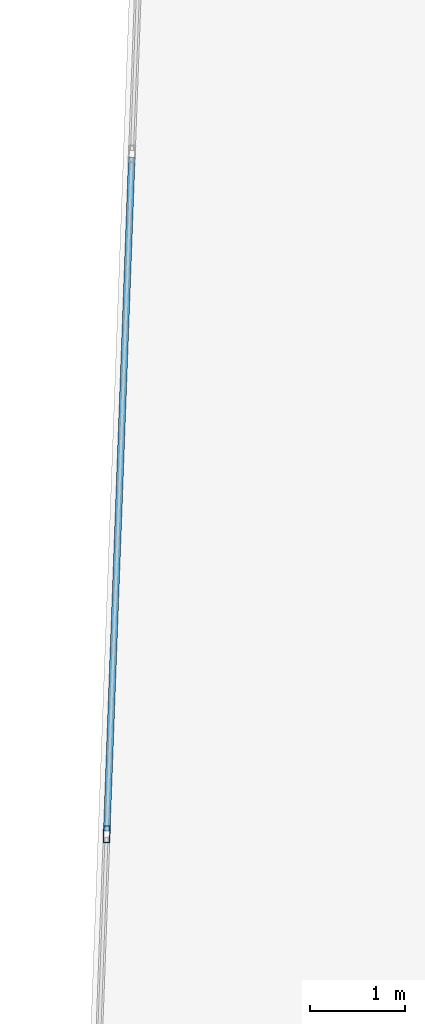
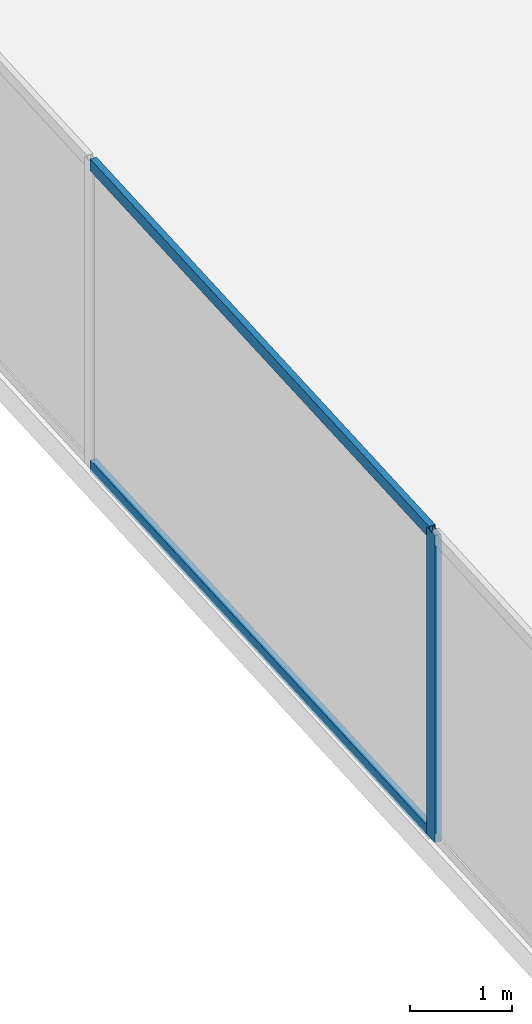
# One storey, part 10 of 30: 3 members, 1 element without a shape of its own.
"""IFC4 building model written with IfcOpenShell, lengths in metres."""

from ifc_helpers import new_model, si_unit, direction, frame, origin, origin_2d, place, context, subcontext, project, spatial, hollow_rectangle, extrude, source, transform, mapped, material, material_profile, profile_set, type_object, type_shapes, element, aggregate, save


model = new_model("IFC4")

# Units and contexts
model_context = context("Model", 3, precision=1e-05, world=origin(), true_north=direction((0.0, 1.0)))
body_context = subcontext(model_context, "Body", "Model", "MODEL_VIEW")
ifc_project = project(units=[si_unit("LENGTHUNIT", "METRE"), si_unit("AREAUNIT", "SQUARE_METRE"), si_unit("VOLUMEUNIT", "CUBIC_METRE"), si_unit("PLANEANGLEUNIT", "RADIAN"), si_unit("MASSUNIT", "GRAM", prefix="KILO")], contexts=[model_context])

# Site, building, storey
site_placement = place(None, origin())
site = spatial("IfcSite", under=ifc_project, at=site_placement, CompositionType="ELEMENT")
building_placement = place(site_placement, origin())
building = spatial("IfcBuilding", under=site, at=building_placement, Name="Krantzveldt Concourse Tower", CompositionType="ELEMENT")
storey_placement = place(building_placement, frame((0.0, 0.0, 44.75)))
storey = spatial("IfcBuildingStorey", under=building, at=storey_placement, Name="L10", CompositionType="ELEMENT", Elevation=44.75)

# Curtain wall, members
ifc_material = material(Name="Anodised aluminium 6063-T6", Category="aluminium")
curtain_wall_type = type_object("IfcCurtainWallType", Name="CW2", PredefinedType="USERDEFINED", material=ifc_material)
curtain_wall_placement = place(storey_placement, origin())
curtain_wall = element("IfcCurtainWall", 1, at=curtain_wall_placement, inside=storey, type_object=curtain_wall_type, Name="CW-L10-F01", ObjectType="UNITISED CURTAIN WALL", PredefinedType="USERDEFINED")
ifc_material_profile_1 = material_profile(ifc_material, hollow_rectangle(XDim=0.070068359375, YDim=0.179931640625, WallThickness=0.0048828125, at=origin_2d()), Name="Anodised aluminium 6063-T6", Category="aluminium")
ifc_profile_set_1 = profile_set([ifc_material_profile_1], Name="Anodised aluminium 6063-T6 - ALU-MULL 180x70x5")
member_type_1 = type_object("IfcMemberType", Name="CW-MUL-180", PredefinedType="MULLION", material=ifc_profile_set_1)
shared_shape_1 = source(origin(), body_context, "Body", "SweptSolid", [
    extrude(hollow_rectangle(XDim=0.070068359375, YDim=0.179931640625, WallThickness=0.0048828125, at=origin_2d()), origin(), (0.0, 0.0, 1.0), 3.669921875),
])
type_shapes(member_type_1, [shared_shape_1])
member_1_placement = place(storey_placement, frame((11.107177734375, 27.62353515625, 0.0), z_axis=(0.0, 0.0, 1.0), x_axis=(0.999312308986, -0.037079766834, 0.0)))
member_1 = element("IfcMember", 2, at=member_1_placement, type_object=member_type_1, Name="CW-Z12 mullion 4", PredefinedType="MULLION", context=body_context, shape_type="MappedRepresentation", body=[
    mapped(shared_shape_1, transform((0.0, 0.0, 0.0), x_axis=(1.0, 0.0, 0.0), y_axis=(0.0, 1.0, 0.0), z_axis=(0.0, 0.0, 1.0), scale=1.0)),
])
ifc_material_profile_2 = material_profile(ifc_material, hollow_rectangle(XDim=0.070068359375, YDim=0.139892578125, WallThickness=0.0048828125, at=origin_2d()), Name="Anodised aluminium 6063-T6", Category="aluminium")
ifc_profile_set_2 = profile_set([ifc_material_profile_2], Name="Anodised aluminium 6063-T6 - ALU-TRAN 140x70x5")
member_type_2 = type_object("IfcMemberType", Name="CW-TRN-150", PredefinedType="USERDEFINED", material=ifc_profile_set_2)
shared_shape_2 = source(origin(), body_context, "Body", "SweptSolid", [
    extrude(hollow_rectangle(XDim=0.070068359375, YDim=0.139892578125, WallThickness=0.0048828125, at=origin_2d()), origin(), (0.0, 0.0, 1.0), 7.0966796875),
])
type_shapes(member_type_2, [shared_shape_2])
member_2_placement = place(storey_placement, frame((11.37158203125, 34.75048828125, 0.034912109375), z_axis=(-0.037085459975, -0.999312097724, 0.0), x_axis=(0.999312097724, -0.037085459975, 0.0)))
member_2 = element("IfcMember", 3, at=member_2_placement, type_object=member_type_2, Name="CW-Z12 transom 3.1", ObjectType="TRANSOM", PredefinedType="USERDEFINED", context=body_context, shape_type="MappedRepresentation", body=[
    mapped(shared_shape_2, transform((0.0, 0.0, 0.0), x_axis=(1.0, 0.0, 0.0), y_axis=(0.0, 1.0, 0.0), z_axis=(0.0, 0.0, 1.0), scale=1.0)),
])
member_3_placement = place(storey_placement, frame((11.37158203125, 34.75048828125, 3.635009765625), z_axis=(-0.037085459975, -0.999312097724, 0.0), x_axis=(0.999312097724, -0.037085459975, 0.0)))
member_3 = element("IfcMember", 4, at=member_3_placement, type_object=member_type_2, Name="CW-Z12 transom 3.2", ObjectType="TRANSOM", PredefinedType="USERDEFINED", context=body_context, shape_type="MappedRepresentation", body=[
    mapped(shared_shape_2, transform((0.0, 0.0, 0.0), x_axis=(1.0, 0.0, 0.0), y_axis=(0.0, 1.0, 0.0), z_axis=(0.0, 0.0, 1.0), scale=1.0)),
])
aggregate(curtain_wall, [member_1, member_2, member_3])

save(model, "model.ifc")
